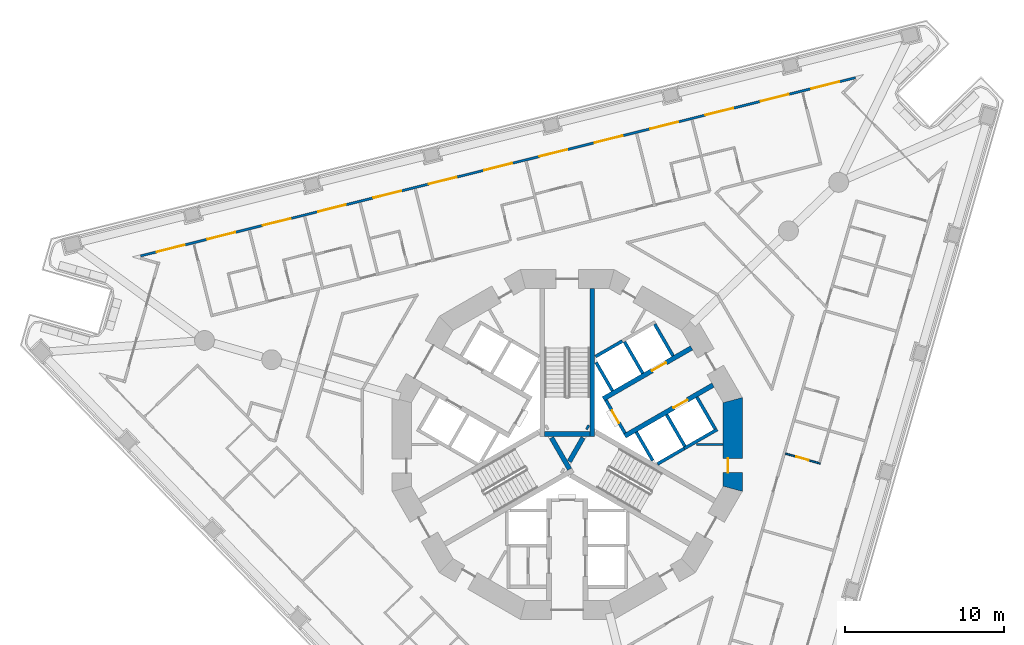
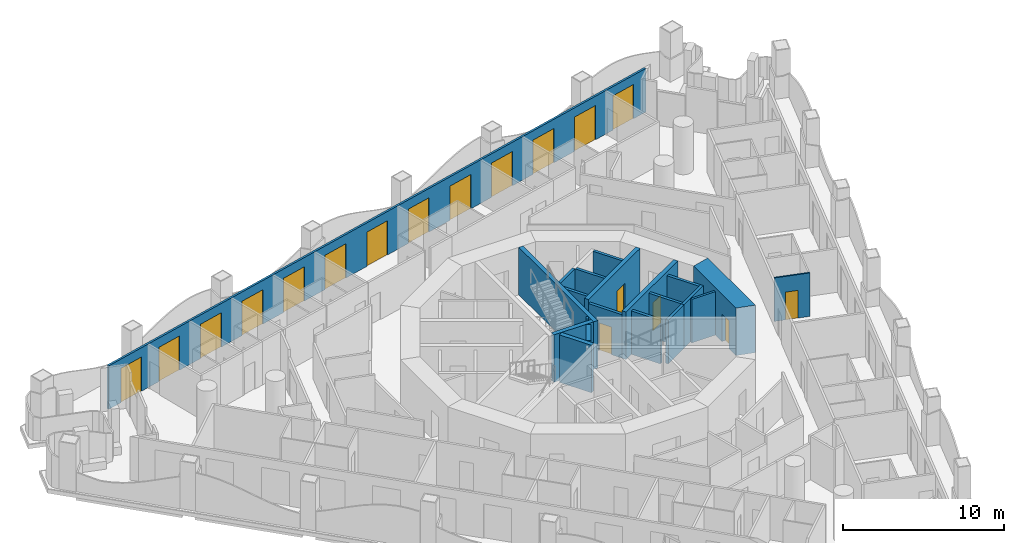
# One storey, part 8 of 18: 21 walls, 18 doors, 18 openings.
"""IFC4 building model written with IfcOpenShell, lengths in metres."""

import ifcopenshell
import ifcopenshell.guid

model = None  # the IFC model being written
_history = None  # IfcOwnerHistory: only IFC2X3 demands one
_inside = {}  # id of a spatial element -> (the spatial element, [elements in it])
_under = {}  # id of a project, library or spatial element -> (it, [spatial elements below it])
_declared = {}  # id of a project -> (the project, [libraries it declares])
_typed = {}  # id of a type object -> (the type object, [elements of that type])
_made_of = {}  # id of a material, layer set ... -> (it, [elements and type objects made of it])


def new_model(schema):
    """Start an empty IFC model of exactly this schema.

    Asked for "IFC4X3", IfcOpenShell would pick the latest addendum, in which some entities
    have other attributes; the version numbers below select the first issue.
    IFC2X3 requires an IfcOwnerHistory on every rooted entity: one is made here for all.
    """
    global model, _history
    if schema == "IFC4X3":
        model = ifcopenshell.file(schema_version=(4, 3, 0, 0))
    else:
        model = ifcopenshell.file(schema=schema)
    _inside.clear()
    _under.clear()
    _declared.clear()
    _typed.clear()
    _made_of.clear()
    _history = None
    if model.schema == "IFC2X3":
        org = make("IfcOrganization", Name="unknown")
        user = make(
            "IfcPersonAndOrganization",
            ThePerson=make("IfcPerson", FamilyName="unknown"),
            TheOrganization=org,
        )
        app = make(
            "IfcApplication",
            ApplicationDeveloper=org,
            Version="unknown",
            ApplicationFullName="unknown",
            ApplicationIdentifier="unknown",
        )
        _history = make(
            "IfcOwnerHistory",
            OwningUser=user,
            OwningApplication=app,
            ChangeAction="ADDED",
            CreationDate=0,
        )
    return model


def make(cls, **values):
    """One entity of the class cls with the attributes given. An attribute that is None is left unset."""
    return model.create_entity(
        cls, **{name: value for name, value in values.items() if value is not None}
    )


def rooted(cls, **values):
    """An entity with a GlobalId (a new one), such as an element, a storey or a relation."""
    return make(cls, GlobalId=ifcopenshell.guid.new(), OwnerHistory=_history, **values)


def si_unit(unit_type, name, prefix=None):
    """IfcSIUnit, for example si_unit("LENGTHUNIT", "METRE", prefix="MILLI")."""
    return make("IfcSIUnit", UnitType=unit_type, Prefix=prefix, Name=name)


def assignment(units):
    """IfcUnitAssignment: the units of a project."""
    return None if units is None else make("IfcUnitAssignment", Units=units)


def point(xyz):
    """IfcCartesianPoint."""
    return None if xyz is None else make("IfcCartesianPoint", Coordinates=xyz)


def direction(xyz):
    """IfcDirection."""
    return None if xyz is None else make("IfcDirection", DirectionRatios=xyz)


def frame(location, z_axis=None, x_axis=None):
    """IfcAxis2Placement3D, a coordinate frame: its origin and axes. An axis left out is left unset."""
    return make(
        "IfcAxis2Placement3D",
        Location=point(location),
        Axis=direction(z_axis),
        RefDirection=direction(x_axis),
    )


def frame_2d(location, x_axis=None):
    """IfcAxis2Placement2D, a coordinate frame in the plane: its origin and x axis."""
    return make(
        "IfcAxis2Placement2D", Location=point(location), RefDirection=direction(x_axis)
    )


def origin():
    """The frame at (0, 0, 0) with its axes left unset."""
    return frame((0.0, 0.0, 0.0))


def place(relative_to, where):
    """IfcLocalPlacement: puts the frame where relative to a parent placement (None: the world)."""
    return make(
        "IfcLocalPlacement", PlacementRelTo=relative_to, RelativePlacement=where
    )


def context(
    kind, dimensions, precision=None, world=None, true_north=None, identifier=None
):
    """IfcGeometricRepresentationContext, for example the 3D "Model" context."""
    return make(
        "IfcGeometricRepresentationContext",
        ContextIdentifier=identifier,
        ContextType=kind,
        CoordinateSpaceDimension=dimensions,
        Precision=precision,
        WorldCoordinateSystem=world,
        TrueNorth=true_north,
    )


def subcontext(parent, identifier, kind, view, scale=None):
    """IfcGeometricRepresentationSubContext, for example "Body" below "Model"."""
    return make(
        "IfcGeometricRepresentationSubContext",
        ContextIdentifier=identifier,
        ContextType=kind,
        ParentContext=parent,
        TargetScale=scale,
        TargetView=view,
    )


def project(units=None, contexts=None):
    """IfcProject with its units and contexts."""
    return rooted(
        "IfcProject",
        Name="project",
        RepresentationContexts=contexts,
        UnitsInContext=assignment(units),
    )


def spatial(cls, under=None, at=None, **own):
    """A site, building, storey or space (cls), placed at a placement, below another one or the project."""
    s = rooted(cls, ObjectPlacement=at, **own)
    if under is not None:
        _under.setdefault(under.id(), (under, []))[1].append(s)
    return s


def polyline(points):
    """IfcPolyline through the points."""
    return make("IfcPolyline", Points=[point(p) for p in points])


def profile(cls, at=None, kind="AREA", **sizes):
    """A parametric profile (cls). Its sizes go by their IFC names, for example OverallWidth=200.0."""
    return make(cls, ProfileType=kind, Position=at, **sizes)


def rectangle(**sizes):
    """IfcRectangleProfileDef."""
    return profile("IfcRectangleProfileDef", **sizes)


def outline(outer, holes=None, kind="AREA"):
    """IfcArbitraryClosedProfileDef: a profile drawn as a closed curve; with holes, ...WithVoids."""
    if holes is None:
        return make("IfcArbitraryClosedProfileDef", ProfileType=kind, OuterCurve=outer)
    return make(
        "IfcArbitraryProfileDefWithVoids",
        ProfileType=kind,
        OuterCurve=outer,
        InnerCurves=holes,
    )


def extrude(swept, where, along, depth):
    """IfcExtrudedAreaSolid: the profile swept, set in the frame where, extruded along a direction by depth."""
    return make(
        "IfcExtrudedAreaSolid",
        SweptArea=swept,
        Position=where,
        ExtrudedDirection=direction(along),
        Depth=depth,
    )


def shape(context_of_items, identifier, shape_type, items):
    """IfcShapeRepresentation: the items that make up one representation, for example the "Body"."""
    return make(
        "IfcShapeRepresentation",
        ContextOfItems=context_of_items,
        RepresentationIdentifier=identifier,
        RepresentationType=shape_type,
        Items=items,
    )


def material(Name=None, Category=None):
    """IfcMaterial."""
    return make("IfcMaterial", Name=Name, Category=Category)


def layer(
    of_material, thickness, ventilated=None, Name=None, Category=None, Priority=None
):
    """IfcMaterialLayer: one layer of a wall or slab, of a material (None: an air gap)."""
    return make(
        "IfcMaterialLayer",
        Material=of_material,
        LayerThickness=thickness,
        IsVentilated=ventilated,
        Name=Name,
        Category=Category,
        Priority=Priority,
    )


def layer_set(layers, Name=None):
    """IfcMaterialLayerSet."""
    return make("IfcMaterialLayerSet", MaterialLayers=layers, LayerSetName=Name)


def made_of(thing, what):
    """Note that an element or type object is made of a material, layer set ...; save() writes the relation."""
    if what is not None:
        _made_of.setdefault(what.id(), (what, []))[1].append(thing)
    return thing


def type_object(cls, material=None, **own):
    """A type object (cls), such as IfcWallType, which elements share."""
    return made_of(rooted(cls, **own), material)


def element(
    cls,
    number,
    at=None,
    inside=None,
    cuts=None,
    type_object=None,
    material=None,
    context=None,
    identifier="Body",
    shape_type=None,
    held_by="IfcProductDefinitionShape",
    body=None,
    shapes=None,
    **own,
):
    """One element of the class cls, such as IfcWall. Its Tag is "e" and its number.

    at: its placement. inside: the storey or other place that contains it. cuts: it is an
    opening in that element (IfcRelVoidsElement). A single representation is given by context,
    identifier, shape_type and body (its items); several are given by shapes. held_by: the class
    of the entity that holds the representations. save() writes the other relations.
    """
    e = rooted(cls, Tag="e%d" % number, ObjectPlacement=at, **own)
    if body is not None:
        shapes = [shape(context, identifier, shape_type, body)]
    if shapes is not None:
        e.Representation = make(held_by, Representations=shapes)
    if inside is not None:
        _inside.setdefault(inside.id(), (inside, []))[1].append(e)
    if cuts is not None:
        rooted(
            "IfcRelVoidsElement", RelatingBuildingElement=cuts, RelatedOpeningElement=e
        )
    if type_object is not None:
        _typed.setdefault(type_object.id(), (type_object, []))[1].append(e)
    return made_of(e, material)


def fill(opening, filler):
    """IfcRelFillsElement: the door or window that sits in an opening."""
    return rooted(
        "IfcRelFillsElement",
        RelatingOpeningElement=opening,
        RelatedBuildingElement=filler,
    )


def aggregate(whole, parts):
    """IfcRelAggregates: a whole, such as a stair, and the parts it consists of."""
    return rooted("IfcRelAggregates", RelatingObject=whole, RelatedObjects=parts)


def save(model, path):
    """Write the relations noted so far, then the file.

    IfcRelAggregates (storeys below a building ...), IfcRelContainedInSpatialStructure (elements
    in a storey), IfcRelDefinesByType, IfcRelAssociatesMaterial and IfcRelDeclares: one each for
    every whole, place, type object, material and project.
    """
    for whole, parts in _under.values():
        aggregate(whole, parts)
    for where, things in _inside.values():
        rooted(
            "IfcRelContainedInSpatialStructure",
            RelatedElements=things,
            RelatingStructure=where,
        )
    for kind, things in _typed.values():
        rooted("IfcRelDefinesByType", RelatedObjects=things, RelatingType=kind)
    for what, things in _made_of.values():
        rooted("IfcRelAssociatesMaterial", RelatedObjects=things, RelatingMaterial=what)
    for by, libraries in _declared.values():
        rooted("IfcRelDeclares", RelatingContext=by, RelatedDefinitions=libraries)
    model.write(path)


model = new_model("IFC4")

# Units and contexts
model_context = context("Model", 3, precision=1e-05, world=origin(), true_north=direction((0.0, 1.0)))
body_context = subcontext(model_context, "Body", "Model", "MODEL_VIEW")
ifc_project = project(units=[si_unit("LENGTHUNIT", "METRE"), si_unit("AREAUNIT", "SQUARE_METRE"), si_unit("VOLUMEUNIT", "CUBIC_METRE"), si_unit("PLANEANGLEUNIT", "RADIAN"), si_unit("MASSUNIT", "GRAM", prefix="KILO")], contexts=[model_context])

# Site, building, storey
site_placement = place(None, origin())
site = spatial("IfcSite", under=ifc_project, at=site_placement, CompositionType="ELEMENT")
building_placement = place(site_placement, origin())
building = spatial("IfcBuilding", under=site, at=building_placement, Name="Trine Commons Tower", CompositionType="ELEMENT")
storey_placement = place(building_placement, frame((0.0, 0.0, 94.5)))
storey = spatial("IfcBuildingStorey", under=building, at=storey_placement, Name="L23", CompositionType="ELEMENT", Elevation=94.5)

# Wall
ifc_material_1 = material(Name="Plasterboard partition on steel studs", Category="steel")
ifc_layer_1 = layer(ifc_material_1, 0.14990234375)
ifc_layer_set_1 = layer_set([ifc_layer_1], Name="Plasterboard partition on steel studs")
wall_type_1 = type_object("IfcWallType", Name="Core room partition 150 mm, EI 60", PredefinedType="PARTITIONING", material=ifc_layer_set_1)
wall_1_placement = place(storey_placement, frame((89.81201171875, 62.5, 0.0), z_axis=(0.0, 0.0, 1.0), x_axis=(-1.0, 0.0, 0.0)))
element("IfcWall", 1, at=wall_1_placement, inside=storey, type_object=wall_type_1, Name="Core room partition L23", PredefinedType="PARTITIONING", context=body_context, shape_type="SweptSolid", body=[
    extrude(rectangle(XDim=1.68310546875, YDim=0.14990234375, at=frame_2d((0.841552734375, 0.0))), origin(), (0.0, 0.0, 1.0), 3.300048828125),
])

# Wall, openings, doors
ifc_material_2 = material(Name="Aluminium-framed insulated wall panel", Category="aluminium")
ifc_layer_2 = layer(ifc_material_2, 0.14990234375)
ifc_layer_set_2 = layer_set([ifc_layer_2], Name="Aluminium-framed insulated wall panel")
wall_type_2 = type_object("IfcWallType", Name="Glazed frame wall 150, EI 60", PredefinedType="SOLIDWALL", material=ifc_layer_set_2)
wall_2_placement = place(storey_placement, frame((53.01416015625, 74.326904296875, 0.0), z_axis=(0.0, 0.0, 1.0), x_axis=(0.970295935704, 0.24192105563, 0.0)))
wall_2 = element("IfcWall", 2, at=wall_2_placement, inside=storey, type_object=wall_type_2, Name="Glazed frame wall F1", PredefinedType="SOLIDWALL", context=body_context, shape_type="SweptSolid", body=[
    extrude(outline(polyline([(0.1494140625, 0.074951171875), (0.1494140625, -0.074951171875), (46.496826171875, -0.074951171875), (46.496826171875, 0.074951171875), (0.1494140625, 0.074951171875)])), origin(), (0.0, 0.0, 1.0), 3.300048828125),
])
opening_1_placement = place(wall_2_placement, frame((1.194091796875, 0.0, 0.0)))
opening_1 = element("IfcOpeningElement", 3, at=opening_1_placement, cuts=wall_2, Name="Opening BD-3F1-01", PredefinedType="OPENING", context=body_context, shape_type="SweptSolid", body=[
    extrude(rectangle(XDim=1.800048828125, YDim=2.60009765625, at=frame_2d((0.89990234375, 1.300048828125))), frame((0.0, 0.0849609375, 0.0), z_axis=(0.0, -1.0, 0.0), x_axis=(1.0, 0.0, 0.0)), (0.0, 0.0, 1.0), 0.169921875),
])
opening_2_placement = place(wall_2_placement, frame((4.482421875, 0.0, 0.0)))
opening_2 = element("IfcOpeningElement", 4, at=opening_2_placement, cuts=wall_2, Name="Opening BD-3F1-02", PredefinedType="OPENING", context=body_context, shape_type="SweptSolid", body=[
    extrude(rectangle(XDim=1.800048828125, YDim=2.60009765625, at=frame_2d((0.89990234375, 1.300048828125))), frame((0.0, 0.0849609375, 0.0), z_axis=(0.0, -1.0, 0.0), x_axis=(1.0, 0.0, 0.0)), (0.0, 0.0, 1.0), 0.169921875),
])
opening_3_placement = place(wall_2_placement, frame((8.070556640625, 0.0, 0.0)))
opening_3 = element("IfcOpeningElement", 5, at=opening_3_placement, cuts=wall_2, Name="Opening BD-3F1-03", PredefinedType="OPENING", context=body_context, shape_type="SweptSolid", body=[
    extrude(rectangle(XDim=1.800048828125, YDim=2.60009765625, at=frame_2d((0.89990234375, 1.300048828125))), frame((0.0, 0.0849609375, 0.0), z_axis=(0.0, -1.0, 0.0), x_axis=(1.0, 0.0, 0.0)), (0.0, 0.0, 1.0), 0.169921875),
])
opening_4_placement = place(wall_2_placement, frame((11.65869140625, 0.0, 0.0)))
opening_4 = element("IfcOpeningElement", 6, at=opening_4_placement, cuts=wall_2, Name="Opening BD-3F1-04", PredefinedType="OPENING", context=body_context, shape_type="SweptSolid", body=[
    extrude(rectangle(XDim=1.800048828125, YDim=2.60009765625, at=frame_2d((0.89990234375, 1.300048828125))), frame((0.0, 0.0849609375, 0.0), z_axis=(0.0, -1.0, 0.0), x_axis=(1.0, 0.0, 0.0)), (0.0, 0.0, 1.0), 0.169921875),
])
opening_5_placement = place(wall_2_placement, frame((15.246826171875, 0.0, 0.0)))
opening_5 = element("IfcOpeningElement", 7, at=opening_5_placement, cuts=wall_2, Name="Opening BD-3F1-05", PredefinedType="OPENING", context=body_context, shape_type="SweptSolid", body=[
    extrude(rectangle(XDim=1.800048828125, YDim=2.60009765625, at=frame_2d((0.89990234375, 1.300048828125))), frame((0.0, 0.0849609375, 0.0), z_axis=(0.0, -1.0, 0.0), x_axis=(1.0, 0.0, 0.0)), (0.0, 0.0, 1.0), 0.169921875),
])
opening_6_placement = place(wall_2_placement, frame((18.835205078125, 0.0, 0.0)))
opening_6 = element("IfcOpeningElement", 8, at=opening_6_placement, cuts=wall_2, Name="Opening BD-3F1-06", PredefinedType="OPENING", context=body_context, shape_type="SweptSolid", body=[
    extrude(rectangle(XDim=1.800048828125, YDim=2.60009765625, at=frame_2d((0.89990234375, 1.300048828125))), frame((0.0, 0.0849609375, 0.0), z_axis=(0.0, -1.0, 0.0), x_axis=(1.0, 0.0, 0.0)), (0.0, 0.0, 1.0), 0.169921875),
])
opening_7_placement = place(wall_2_placement, frame((22.42333984375, 0.0, 0.0)))
opening_7 = element("IfcOpeningElement", 9, at=opening_7_placement, cuts=wall_2, Name="Opening BD-3F1-07", PredefinedType="OPENING", context=body_context, shape_type="SweptSolid", body=[
    extrude(rectangle(XDim=1.800048828125, YDim=2.60009765625, at=frame_2d((0.89990234375, 1.300048828125))), frame((0.0, 0.0849609375, 0.0), z_axis=(0.0, -1.0, 0.0), x_axis=(1.0, 0.0, 0.0)), (0.0, 0.0, 1.0), 0.169921875),
])
opening_8_placement = place(wall_2_placement, frame((26.011474609375, 0.0, 0.0)))
opening_8 = element("IfcOpeningElement", 10, at=opening_8_placement, cuts=wall_2, Name="Opening BD-3F1-08", PredefinedType="OPENING", context=body_context, shape_type="SweptSolid", body=[
    extrude(rectangle(XDim=1.800048828125, YDim=2.60009765625, at=frame_2d((0.89990234375, 1.300048828125))), frame((0.0, 0.0849609375, 0.0), z_axis=(0.0, -1.0, 0.0), x_axis=(1.0, 0.0, 0.0)), (0.0, 0.0, 1.0), 0.169921875),
])
opening_9_placement = place(wall_2_placement, frame((29.599609375, 0.0, 0.0)))
opening_9 = element("IfcOpeningElement", 11, at=opening_9_placement, cuts=wall_2, Name="Opening BD-3F1-09", PredefinedType="OPENING", context=body_context, shape_type="SweptSolid", body=[
    extrude(rectangle(XDim=1.800048828125, YDim=2.60009765625, at=frame_2d((0.89990234375, 1.300048828125))), frame((0.0, 0.0849609375, 0.0), z_axis=(0.0, -1.0, 0.0), x_axis=(1.0, 0.0, 0.0)), (0.0, 0.0, 1.0), 0.169921875),
])
opening_10_placement = place(wall_2_placement, frame((33.18798828125, 0.0, 0.0)))
opening_10 = element("IfcOpeningElement", 12, at=opening_10_placement, cuts=wall_2, Name="Opening BD-3F1-10", PredefinedType="OPENING", context=body_context, shape_type="SweptSolid", body=[
    extrude(rectangle(XDim=1.800048828125, YDim=2.60009765625, at=frame_2d((0.89990234375, 1.300048828125))), frame((0.0, 0.0849609375, 0.0), z_axis=(0.0, -1.0, 0.0), x_axis=(1.0, 0.0, 0.0)), (0.0, 0.0, 1.0), 0.169921875),
])
opening_11_placement = place(wall_2_placement, frame((36.776123046875, 0.0, 0.0)))
opening_11 = element("IfcOpeningElement", 13, at=opening_11_placement, cuts=wall_2, Name="Opening BD-3F1-11", PredefinedType="OPENING", context=body_context, shape_type="SweptSolid", body=[
    extrude(rectangle(XDim=1.800048828125, YDim=2.60009765625, at=frame_2d((0.89990234375, 1.300048828125))), frame((0.0, 0.0849609375, 0.0), z_axis=(0.0, -1.0, 0.0), x_axis=(1.0, 0.0, 0.0)), (0.0, 0.0, 1.0), 0.169921875),
])
opening_12_placement = place(wall_2_placement, frame((40.3642578125, 0.0, 0.0)))
opening_12 = element("IfcOpeningElement", 14, at=opening_12_placement, cuts=wall_2, Name="Opening BD-3F1-12", PredefinedType="OPENING", context=body_context, shape_type="SweptSolid", body=[
    extrude(rectangle(XDim=1.800048828125, YDim=2.60009765625, at=frame_2d((0.89990234375, 1.300048828125))), frame((0.0, 0.0849609375, 0.0), z_axis=(0.0, -1.0, 0.0), x_axis=(1.0, 0.0, 0.0)), (0.0, 0.0, 1.0), 0.169921875),
])
opening_13_placement = place(wall_2_placement, frame((43.652587890625, 0.0, 0.0)))
opening_13 = element("IfcOpeningElement", 15, at=opening_13_placement, cuts=wall_2, Name="Opening BD-3F1-13", PredefinedType="OPENING", context=body_context, shape_type="SweptSolid", body=[
    extrude(rectangle(XDim=1.800048828125, YDim=2.60009765625, at=frame_2d((0.89990234375, 1.300048828125))), frame((0.0, 0.0849609375, 0.0), z_axis=(0.0, -1.0, 0.0), x_axis=(1.0, 0.0, 0.0)), (0.0, 0.0, 1.0), 0.169921875),
])
ifc_material_3 = material(Name="Anodised aluminium frame with double glazing", Category="aluminium")
door_type_1 = type_object("IfcDoorType", Name="Sliding loggia door 1800x2600", OperationType="SLIDING_TO_LEFT", PredefinedType="DOOR", material=ifc_material_3)
door_1_placement = place(opening_1_placement, origin())
door_1 = element("IfcDoor", 16, at=door_1_placement, inside=storey, type_object=door_type_1, Name="Loggia door F1 1", OperationType="SLIDING_TO_LEFT", OverallHeight=2.60009765625, OverallWidth=1.800048828125, PredefinedType="DOOR", context=body_context, shape_type="SweptSolid", body=[
    extrude(rectangle(XDim=1.800048828125, YDim=2.60009765625, at=frame_2d((0.89990234375, 1.300048828125))), frame((0.0, 0.02490234375, 0.0), z_axis=(0.0, -1.0, 0.0), x_axis=(1.0, 0.0, 0.0)), (0.0, 0.0, 1.0), 0.050048828125),
])
fill(opening_1, door_1)
door_2_placement = place(opening_2_placement, origin())
door_2 = element("IfcDoor", 17, at=door_2_placement, inside=storey, type_object=door_type_1, Name="Loggia door F1 2", OperationType="SLIDING_TO_LEFT", OverallHeight=2.60009765625, OverallWidth=1.800048828125, PredefinedType="DOOR", context=body_context, shape_type="SweptSolid", body=[
    extrude(rectangle(XDim=1.800048828125, YDim=2.60009765625, at=frame_2d((0.89990234375, 1.300048828125))), frame((0.0, 0.02490234375, 0.0), z_axis=(0.0, -1.0, 0.0), x_axis=(1.0, 0.0, 0.0)), (0.0, 0.0, 1.0), 0.050048828125),
])
fill(opening_2, door_2)
door_3_placement = place(opening_3_placement, origin())
door_3 = element("IfcDoor", 18, at=door_3_placement, inside=storey, type_object=door_type_1, Name="Loggia door F1 3", OperationType="SLIDING_TO_LEFT", OverallHeight=2.60009765625, OverallWidth=1.800048828125, PredefinedType="DOOR", context=body_context, shape_type="SweptSolid", body=[
    extrude(rectangle(XDim=1.800048828125, YDim=2.60009765625, at=frame_2d((0.89990234375, 1.300048828125))), frame((0.0, 0.02490234375, 0.0), z_axis=(0.0, -1.0, 0.0), x_axis=(1.0, 0.0, 0.0)), (0.0, 0.0, 1.0), 0.050048828125),
])
fill(opening_3, door_3)
door_4_placement = place(opening_4_placement, origin())
door_4 = element("IfcDoor", 19, at=door_4_placement, inside=storey, type_object=door_type_1, Name="Loggia door F1 4", OperationType="SLIDING_TO_LEFT", OverallHeight=2.60009765625, OverallWidth=1.800048828125, PredefinedType="DOOR", context=body_context, shape_type="SweptSolid", body=[
    extrude(rectangle(XDim=1.800048828125, YDim=2.60009765625, at=frame_2d((0.89990234375, 1.300048828125))), frame((0.0, 0.02490234375, 0.0), z_axis=(0.0, -1.0, 0.0), x_axis=(1.0, 0.0, 0.0)), (0.0, 0.0, 1.0), 0.050048828125),
])
fill(opening_4, door_4)
door_5_placement = place(opening_5_placement, origin())
door_5 = element("IfcDoor", 20, at=door_5_placement, inside=storey, type_object=door_type_1, Name="Loggia door F1 5", OperationType="SLIDING_TO_LEFT", OverallHeight=2.60009765625, OverallWidth=1.800048828125, PredefinedType="DOOR", context=body_context, shape_type="SweptSolid", body=[
    extrude(rectangle(XDim=1.800048828125, YDim=2.60009765625, at=frame_2d((0.89990234375, 1.300048828125))), frame((0.0, 0.02490234375, 0.0), z_axis=(0.0, -1.0, 0.0), x_axis=(1.0, 0.0, 0.0)), (0.0, 0.0, 1.0), 0.050048828125),
])
fill(opening_5, door_5)
door_6_placement = place(opening_6_placement, origin())
door_6 = element("IfcDoor", 21, at=door_6_placement, inside=storey, type_object=door_type_1, Name="Loggia door F1 6", OperationType="SLIDING_TO_LEFT", OverallHeight=2.60009765625, OverallWidth=1.800048828125, PredefinedType="DOOR", context=body_context, shape_type="SweptSolid", body=[
    extrude(rectangle(XDim=1.800048828125, YDim=2.60009765625, at=frame_2d((0.89990234375, 1.300048828125))), frame((0.0, 0.02490234375, 0.0), z_axis=(0.0, -1.0, 0.0), x_axis=(1.0, 0.0, 0.0)), (0.0, 0.0, 1.0), 0.050048828125),
])
fill(opening_6, door_6)
door_7_placement = place(opening_7_placement, origin())
door_7 = element("IfcDoor", 22, at=door_7_placement, inside=storey, type_object=door_type_1, Name="Loggia door F1 7", OperationType="SLIDING_TO_LEFT", OverallHeight=2.60009765625, OverallWidth=1.800048828125, PredefinedType="DOOR", context=body_context, shape_type="SweptSolid", body=[
    extrude(rectangle(XDim=1.800048828125, YDim=2.60009765625, at=frame_2d((0.89990234375, 1.300048828125))), frame((0.0, 0.02490234375, 0.0), z_axis=(0.0, -1.0, 0.0), x_axis=(1.0, 0.0, 0.0)), (0.0, 0.0, 1.0), 0.050048828125),
])
fill(opening_7, door_7)
door_8_placement = place(opening_8_placement, origin())
door_8 = element("IfcDoor", 23, at=door_8_placement, inside=storey, type_object=door_type_1, Name="Loggia door F1 8", OperationType="SLIDING_TO_LEFT", OverallHeight=2.60009765625, OverallWidth=1.800048828125, PredefinedType="DOOR", context=body_context, shape_type="SweptSolid", body=[
    extrude(rectangle(XDim=1.800048828125, YDim=2.60009765625, at=frame_2d((0.89990234375, 1.300048828125))), frame((0.0, 0.02490234375, 0.0), z_axis=(0.0, -1.0, 0.0), x_axis=(1.0, 0.0, 0.0)), (0.0, 0.0, 1.0), 0.050048828125),
])
fill(opening_8, door_8)
door_9_placement = place(opening_9_placement, origin())
door_9 = element("IfcDoor", 24, at=door_9_placement, inside=storey, type_object=door_type_1, Name="Loggia door F1 9", OperationType="SLIDING_TO_LEFT", OverallHeight=2.60009765625, OverallWidth=1.800048828125, PredefinedType="DOOR", context=body_context, shape_type="SweptSolid", body=[
    extrude(rectangle(XDim=1.800048828125, YDim=2.60009765625, at=frame_2d((0.89990234375, 1.300048828125))), frame((0.0, 0.02490234375, 0.0), z_axis=(0.0, -1.0, 0.0), x_axis=(1.0, 0.0, 0.0)), (0.0, 0.0, 1.0), 0.050048828125),
])
fill(opening_9, door_9)
door_10_placement = place(opening_10_placement, origin())
door_10 = element("IfcDoor", 25, at=door_10_placement, inside=storey, type_object=door_type_1, Name="Loggia door F1 10", OperationType="SLIDING_TO_LEFT", OverallHeight=2.60009765625, OverallWidth=1.800048828125, PredefinedType="DOOR", context=body_context, shape_type="SweptSolid", body=[
    extrude(rectangle(XDim=1.800048828125, YDim=2.60009765625, at=frame_2d((0.89990234375, 1.300048828125))), frame((0.0, 0.02490234375, 0.0), z_axis=(0.0, -1.0, 0.0), x_axis=(1.0, 0.0, 0.0)), (0.0, 0.0, 1.0), 0.050048828125),
])
fill(opening_10, door_10)
door_11_placement = place(opening_11_placement, origin())
door_11 = element("IfcDoor", 26, at=door_11_placement, inside=storey, type_object=door_type_1, Name="Loggia door F1 11", OperationType="SLIDING_TO_LEFT", OverallHeight=2.60009765625, OverallWidth=1.800048828125, PredefinedType="DOOR", context=body_context, shape_type="SweptSolid", body=[
    extrude(rectangle(XDim=1.800048828125, YDim=2.60009765625, at=frame_2d((0.89990234375, 1.300048828125))), frame((0.0, 0.02490234375, 0.0), z_axis=(0.0, -1.0, 0.0), x_axis=(1.0, 0.0, 0.0)), (0.0, 0.0, 1.0), 0.050048828125),
])
fill(opening_11, door_11)
door_12_placement = place(opening_12_placement, origin())
door_12 = element("IfcDoor", 27, at=door_12_placement, inside=storey, type_object=door_type_1, Name="Loggia door F1 12", OperationType="SLIDING_TO_LEFT", OverallHeight=2.60009765625, OverallWidth=1.800048828125, PredefinedType="DOOR", context=body_context, shape_type="SweptSolid", body=[
    extrude(rectangle(XDim=1.800048828125, YDim=2.60009765625, at=frame_2d((0.89990234375, 1.300048828125))), frame((0.0, 0.02490234375, 0.0), z_axis=(0.0, -1.0, 0.0), x_axis=(1.0, 0.0, 0.0)), (0.0, 0.0, 1.0), 0.050048828125),
])
fill(opening_12, door_12)
door_13_placement = place(opening_13_placement, origin())
door_13 = element("IfcDoor", 28, at=door_13_placement, inside=storey, type_object=door_type_1, Name="Loggia door F1 13", OperationType="SLIDING_TO_LEFT", OverallHeight=2.60009765625, OverallWidth=1.800048828125, PredefinedType="DOOR", context=body_context, shape_type="SweptSolid", body=[
    extrude(rectangle(XDim=1.800048828125, YDim=2.60009765625, at=frame_2d((0.89990234375, 1.300048828125))), frame((0.0, 0.02490234375, 0.0), z_axis=(0.0, -1.0, 0.0), x_axis=(1.0, 0.0, 0.0)), (0.0, 0.0, 1.0), 0.050048828125),
])
fill(opening_13, door_13)

# Wall, opening, door
ifc_material_4 = material(Name="Fire-rated gypsum shaft wall system")
ifc_layer_3 = layer(ifc_material_4, 0.199951171875)
ifc_layer_set_3 = layer_set([ifc_layer_3], Name="Fire-rated gypsum shaft wall system")
wall_type_3 = type_object("IfcWallType", Name="Lobby end wall 200 mm, EI 120", PredefinedType="PARTITIONING", material=ifc_layer_set_3)
wall_3_placement = place(storey_placement, frame((83.631103515625, 63.2109375, 0.0), z_axis=(0.0, 0.0, 1.0), x_axis=(-0.50012165622, 0.865955154139, 0.0)))
wall_3 = element("IfcWall", 29, at=wall_3_placement, inside=storey, type_object=wall_type_3, Name="Lobby end wall L23", PredefinedType="PARTITIONING", context=body_context, shape_type="SweptSolid", body=[
    extrude(rectangle(XDim=2.39990234375, YDim=0.199951171875, at=frame_2d((1.199951171875, 0.0))), origin(), (0.0, 0.0, 1.0), 3.300048828125),
])
opening_14_placement = place(wall_3_placement, frame((0.749755859375, 0.0, 0.0)))
opening_14 = element("IfcOpeningElement", 30, at=opening_14_placement, cuts=wall_3, Name="Opening K06.05", PredefinedType="OPENING", context=body_context, shape_type="SweptSolid", body=[
    extrude(rectangle(XDim=0.89990234375, YDim=2.10009765625, at=frame_2d((0.449951171875, 1.050048828125))), frame((0.0, 0.10986328125, 0.0), z_axis=(0.0, -1.0, 0.0), x_axis=(1.0, 0.0, 0.0)), (0.0, 0.0, 1.0), 0.219970703125),
])
ifc_material_5 = material(Name="Steel door leaf, fire-rated", Category="steel")
door_type_2 = type_object("IfcDoorType", Name="Riser access door, single leaf 900 x 2100, FD60", OperationType="SINGLE_SWING_LEFT", PredefinedType="DOOR", material=ifc_material_5)
door_14_placement = place(opening_14_placement, frame((0.89990234375, 0.0, 0.0), z_axis=(0.0, 0.0, 1.0), x_axis=(-1.0, 0.0, 0.0)))
door_14 = element("IfcDoor", 31, at=door_14_placement, inside=storey, type_object=door_type_2, Name="Riser door, Electrical riser L23", OperationType="SINGLE_SWING_LEFT", OverallHeight=2.10009765625, OverallWidth=0.89990234375, PredefinedType="DOOR", context=body_context, shape_type="SweptSolid", body=[
    extrude(rectangle(XDim=0.89990234375, YDim=2.10009765625, at=frame_2d((0.449951171875, 1.050048828125))), frame((0.0, 0.02490234375, 0.0), z_axis=(0.0, -1.0, 0.0), x_axis=(1.0, 0.0, 0.0)), (0.0, 0.0, 1.0), 0.050048828125),
])
fill(opening_14, door_14)

ifc_material_6 = material(Name="Concrete C70/85", Category="concrete")
ifc_layer_4 = layer(ifc_material_6, 1.199951171875)
ifc_layer_set_4 = layer_set([ifc_layer_4], Name="Concrete C70/85")
wall_type_4 = type_object("IfcWallType", Name="RC shear wall 1200 mm, C70/85", PredefinedType="SHEAR", material=ifc_layer_set_4)
wall_4_placement = place(storey_placement, frame((90.41162109375, 59.549560546875, 0.0), z_axis=(0.0, 0.0, 1.0), x_axis=(0.0, 1.0, 0.0)))
wall_4 = element("IfcWall", 32, at=wall_4_placement, inside=storey, type_object=wall_type_4, Name="Core wall CWC-01 L23", PredefinedType="SHEAR", context=body_context, shape_type="SweptSolid", body=[
    extrude(outline(polyline([(0.0, -0.60009765625), (5.90087890625, -0.60009765625), (5.57958984375, 0.60009765625), (0.321533203125, 0.60009765625), (0.0, -0.60009765625)])), origin(), (0.0, 0.0, 1.0), 3.60009765625),
])
opening_15_placement = place(wall_4_placement, frame((1.175537109375, 0.0, 0.0)))
opening_15 = element("IfcOpeningElement", 33, at=opening_15_placement, cuts=wall_4, Name="Opening K06.17", PredefinedType="OPENING", context=body_context, shape_type="SweptSolid", body=[
    extrude(rectangle(XDim=0.89990234375, YDim=2.10009765625, at=frame_2d((0.449951171875, 1.050048828125))), frame((0.0, 0.60986328125, 0.0), z_axis=(0.0, -1.0, 0.0), x_axis=(1.0, 0.0, 0.0)), (0.0, 0.0, 1.0), 1.219970703125),
])
door_type_3 = type_object("IfcDoorType", Name="Core room door, single leaf 900 x 2100, FD30S", OperationType="SINGLE_SWING_LEFT", PredefinedType="DOOR", material=ifc_material_5)
door_15_placement = place(opening_15_placement, origin())
door_15 = element("IfcDoor", 34, at=door_15_placement, inside=storey, type_object=door_type_3, Name="Door to Linen store L23", OperationType="SINGLE_SWING_LEFT", OverallHeight=2.10009765625, OverallWidth=0.89990234375, PredefinedType="DOOR", context=body_context, shape_type="SweptSolid", body=[
    extrude(rectangle(XDim=0.89990234375, YDim=2.10009765625, at=frame_2d((0.449951171875, 1.050048828125))), frame((0.0, 0.3251953125, 0.0), z_axis=(0.0, -1.0, 0.0), x_axis=(1.0, 0.0, 0.0)), (0.0, 0.0, 1.0), 0.050048828125),
])
fill(opening_15, door_15)

ifc_layer_5 = layer(ifc_material_6, 0.300048828125)
ifc_layer_set_5 = layer_set([ifc_layer_5], Name="Concrete C70/85")
wall_type_5 = type_object("IfcWallType", Name="RC shear wall 300 mm, C70/85", PredefinedType="SHEAR", material=ifc_layer_set_5)
wall_5_placement = place(storey_placement, frame((82.26904296875, 65.368896484375, 0.0), z_axis=(0.0, 0.0, 1.0), x_axis=(0.866022631842, 0.500004801114, 0.0)))
wall_5 = element("IfcWall", 35, at=wall_5_placement, inside=storey, type_object=wall_type_5, Name="Core cross wall SWA-05 L23", PredefinedType="SHEAR", context=body_context, shape_type="SweptSolid", body=[
    extrude(rectangle(XDim=6.412109375, YDim=0.300048828125, at=frame_2d((3.2060546875, 0.0))), origin(), (0.0, 0.0, 1.0), 3.60009765625),
])
opening_16_placement = place(wall_5_placement, frame((3.55029296875, 0.0, 0.0)))
opening_16 = element("IfcOpeningElement", 36, at=opening_16_placement, cuts=wall_5, Name="Opening LD1", PredefinedType="OPENING", context=body_context, shape_type="SweptSolid", body=[
    extrude(rectangle(XDim=1.0, YDim=2.10009765625, at=frame_2d((0.5, 1.050048828125))), frame((0.0, 0.159912109375, 0.0), z_axis=(0.0, -1.0, 0.0), x_axis=(1.0, 0.0, 0.0)), (0.0, 0.0, 1.0), 0.320068359375),
])
ifc_material_7 = material(Name="Stainless steel sliding door leaves", Category="steel")
door_type_4 = type_object("IfcDoorType", Name="Lift landing door, centre-opening sliding 1000 x 2100, FD90", OperationType="DOUBLE_DOOR_SLIDING", PredefinedType="DOOR", material=ifc_material_7)
door_16_placement = place(opening_16_placement, origin())
door_16 = element("IfcDoor", 37, at=door_16_placement, inside=storey, type_object=door_type_4, Name="Lift landing door LR1 L23", OperationType="DOUBLE_DOOR_SLIDING", OverallHeight=2.10009765625, OverallWidth=1.0, PredefinedType="DOOR", context=body_context, shape_type="SweptSolid", body=[
    extrude(rectangle(XDim=1.0, YDim=2.10009765625, at=frame_2d((0.5, 1.050048828125))), frame((0.0, 0.02490234375, 0.0), z_axis=(0.0, -1.0, 0.0), x_axis=(1.0, 0.0, 0.0)), (0.0, 0.0, 1.0), 0.050048828125),
])
fill(opening_16, door_16)

wall_6_placement = place(storey_placement, frame((83.618896484375, 63.031005859375, 0.0), z_axis=(0.0, 0.0, 1.0), x_axis=(0.866032150378, 0.499988314375, 0.0)))
wall_6 = element("IfcWall", 38, at=wall_6_placement, inside=storey, type_object=wall_type_5, Name="Core cross wall SWA-06 L23", PredefinedType="SHEAR", context=body_context, shape_type="SweptSolid", body=[
    extrude(rectangle(XDim=6.412353515625, YDim=0.300048828125, at=frame_2d((3.2060546875, 0.0))), origin(), (0.0, 0.0, 1.0), 3.60009765625),
])
opening_17_placement = place(wall_6_placement, frame((3.55029296875, 0.0, 0.0)))
opening_17 = element("IfcOpeningElement", 39, at=opening_17_placement, cuts=wall_6, Name="Opening LD2", PredefinedType="OPENING", context=body_context, shape_type="SweptSolid", body=[
    extrude(rectangle(XDim=1.0, YDim=2.10009765625, at=frame_2d((0.5, 1.050048828125))), frame((0.0, 0.159912109375, 0.0), z_axis=(0.0, -1.0, 0.0), x_axis=(1.0, 0.0, 0.0)), (0.0, 0.0, 1.0), 0.320068359375),
])
door_17_placement = place(opening_17_placement, origin())
door_17 = element("IfcDoor", 40, at=door_17_placement, inside=storey, type_object=door_type_4, Name="Lift landing door LR2 L23", OperationType="DOUBLE_DOOR_SLIDING", OverallHeight=2.10009765625, OverallWidth=1.0, PredefinedType="DOOR", context=body_context, shape_type="SweptSolid", body=[
    extrude(rectangle(XDim=1.0, YDim=2.10009765625, at=frame_2d((0.5, 1.050048828125))), frame((0.0, 0.02490234375, 0.0), z_axis=(0.0, -1.0, 0.0), x_axis=(1.0, 0.0, 0.0)), (0.0, 0.0, 1.0), 0.050048828125),
])
fill(opening_17, door_17)

# Walls
wall_7_placement = place(storey_placement, frame((79.0029296875, 62.926025390625, 0.0), z_axis=(0.0, 0.0, 1.0), x_axis=(0.499965247104, -0.866045467449, 0.0)))
element("IfcWall", 41, at=wall_7_placement, inside=storey, type_object=wall_type_5, Name="Core cross wall SWA-10 L23", PredefinedType="SHEAR", context=body_context, shape_type="SweptSolid", body=[
    extrude(rectangle(XDim=2.292236328125, YDim=0.300048828125, at=frame_2d((1.14599609375, 0.0))), origin(), (0.0, 0.0, 1.0), 3.60009765625),
])
wall_8_placement = place(storey_placement, frame((80.1298828125, 61.424072265625, 0.0), z_axis=(0.0, 0.0, 1.0), x_axis=(0.500014901547, 0.866016800201, 0.0)))
element("IfcWall", 42, at=wall_8_placement, inside=storey, type_object=wall_type_5, Name="Core cross wall SWA-12 L23", PredefinedType="SHEAR", context=body_context, shape_type="SweptSolid", body=[
    extrude(rectangle(XDim=1.734375, YDim=0.300048828125, at=frame_2d((0.8671875, 0.0))), origin(), (0.0, 0.0, 1.0), 3.60009765625),
])
wall_9_placement = place(storey_placement, frame((81.220947265625, 63.614013671875, 0.0), z_axis=(0.0, 0.0, 1.0), x_axis=(0.867737973955, -0.497021939713, 0.0)))
element("IfcWall", 43, at=wall_9_placement, inside=storey, type_object=wall_type_5, Name="Core cross wall SWA-15 L23", PredefinedType="SHEAR", context=body_context, shape_type="SweptSolid", body=[
    extrude(rectangle(XDim=0.14892578125, YDim=0.300048828125, at=frame_2d((0.074462890625, 0.0))), origin(), (0.0, 0.0, 1.0), 3.60009765625),
])
wall_10_placement = place(storey_placement, frame((81.425048828125, 63.15087890625, 0.0), z_axis=(0.0, 0.0, 1.0), x_axis=(-1.0, 0.0, 0.0)))
element("IfcWall", 44, at=wall_10_placement, inside=storey, type_object=wall_type_5, Name="Core cross wall SWA-16 L23", PredefinedType="SHEAR", context=body_context, shape_type="SweptSolid", body=[
    extrude(rectangle(XDim=2.85009765625, YDim=0.300048828125, at=frame_2d((1.425048828125, 0.0))), origin(), (0.0, 0.0, 1.0), 3.60009765625),
])
wall_11_placement = place(storey_placement, frame((81.574951171875, 63.0009765625, 0.0), z_axis=(0.0, 0.0, 1.0), x_axis=(0.0, 1.0, 0.0)))
element("IfcWall", 45, at=wall_11_placement, inside=storey, type_object=wall_type_5, Name="Core cross wall SWA-17 L23", PredefinedType="SHEAR", context=body_context, shape_type="SweptSolid", body=[
    extrude(rectangle(XDim=9.31103515625, YDim=0.300048828125, at=frame_2d((4.655517578125, 0.0))), origin(), (0.0, 0.0, 1.0), 3.60009765625),
])
ifc_layer_6 = layer(ifc_material_4, 0.199951171875)
ifc_layer_set_6 = layer_set([ifc_layer_6], Name="Fire-rated gypsum shaft wall system")
wall_type_6 = type_object("IfcWallType", Name="Shaft wall 200 mm, EI 120", PredefinedType="PARTITIONING", material=ifc_layer_set_6)
wall_12_placement = place(storey_placement, frame((81.77490234375, 68.028076171875, 0.0), z_axis=(0.0, 0.0, 1.0), x_axis=(0.866052014814, 0.499953905513, 0.0)))
element("IfcWall", 46, at=wall_12_placement, inside=storey, type_object=wall_type_6, Name="Shaft wall L23", PredefinedType="PARTITIONING", context=body_context, shape_type="SweptSolid", body=[
    extrude(rectangle(XDim=1.947998046875, YDim=0.199951171875, at=frame_2d((0.97412109375, 0.0))), origin(), (0.0, 0.0, 1.0), 3.300048828125),
])
wall_13_placement = place(storey_placement, frame((82.843994140625, 65.8740234375, 0.0), z_axis=(0.0, 0.0, 1.0), x_axis=(-0.499865770674, 0.866102887253, 0.0)))
element("IfcWall", 47, at=wall_13_placement, inside=storey, type_object=wall_type_6, Name="Shaft wall L23", PredefinedType="PARTITIONING", context=body_context, shape_type="SweptSolid", body=[
    extrude(rectangle(XDim=2.064453125, YDim=0.199951171875, at=frame_2d((1.0322265625, 0.0))), origin(), (0.0, 0.0, 1.0), 3.300048828125),
])
wall_14_placement = place(storey_placement, frame((84.343994140625, 63.27587890625, 0.0), z_axis=(0.0, 0.0, 1.0), x_axis=(0.500271688072, -0.86586848777, 0.0)))
element("IfcWall", 48, at=wall_14_placement, inside=storey, type_object=wall_type_6, Name="Shaft wall L23", PredefinedType="PARTITIONING", context=body_context, shape_type="SweptSolid", body=[
    extrude(rectangle(XDim=2.064697265625, YDim=0.199951171875, at=frame_2d((1.0322265625, 0.0))), origin(), (0.0, 0.0, 1.0), 3.300048828125),
])
wall_15_placement = place(storey_placement, frame((84.7490234375, 66.97412109375, 0.0), z_axis=(0.0, 0.0, 1.0), x_axis=(-0.500136062276, 0.86594683394, 0.0)))
element("IfcWall", 49, at=wall_15_placement, inside=storey, type_object=wall_type_6, Name="Shaft wall L23", PredefinedType="PARTITIONING", context=body_context, shape_type="SweptSolid", body=[
    extrude(rectangle(XDim=2.299072265625, YDim=0.199951171875, at=frame_2d((1.1494140625, 0.0))), origin(), (0.0, 0.0, 1.0), 3.300048828125),
])
wall_16_placement = place(storey_placement, frame((85.675048828125, 61.27294921875, 0.0), z_axis=(0.0, 0.0, 1.0), x_axis=(0.865780634835, 0.500423712812, 0.0)))
element("IfcWall", 50, at=wall_16_placement, inside=storey, type_object=wall_type_6, Name="Shaft wall L23", PredefinedType="PARTITIONING", context=body_context, shape_type="SweptSolid", body=[
    extrude(rectangle(XDim=1.948486328125, YDim=0.199951171875, at=frame_2d((0.97412109375, 0.0))), origin(), (0.0, 0.0, 1.0), 3.300048828125),
])
wall_17_placement = place(storey_placement, frame((86.2490234375, 64.3759765625, 0.0), z_axis=(0.0, 0.0, 1.0), x_axis=(0.500136062276, -0.86594683394, 0.0)))
element("IfcWall", 51, at=wall_17_placement, inside=storey, type_object=wall_type_6, Name="Shaft wall L23", PredefinedType="PARTITIONING", context=body_context, shape_type="SweptSolid", body=[
    extrude(rectangle(XDim=2.299072265625, YDim=0.199951171875, at=frame_2d((1.1494140625, 0.0))), origin(), (0.0, 0.0, 1.0), 3.300048828125),
])
wall_18_placement = place(storey_placement, frame((86.655029296875, 68.073974609375, 0.0), z_axis=(0.0, 0.0, 1.0), x_axis=(-0.500215680983, 0.865900844496, 0.0)))
element("IfcWall", 52, at=wall_18_placement, inside=storey, type_object=wall_type_6, Name="Shaft wall L23", PredefinedType="PARTITIONING", context=body_context, shape_type="SweptSolid", body=[
    extrude(rectangle(XDim=2.29931640625, YDim=0.199951171875, at=frame_2d((1.149658203125, 0.0))), origin(), (0.0, 0.0, 1.0), 3.300048828125),
])
wall_19_placement = place(storey_placement, frame((87.362060546875, 62.248046875, 0.0), z_axis=(0.0, 0.0, 1.0), x_axis=(0.866177122335, 0.499737123639, 0.0)))
element("IfcWall", 53, at=wall_19_placement, inside=storey, type_object=wall_type_6, Name="Shaft wall L23", PredefinedType="PARTITIONING", context=body_context, shape_type="SweptSolid", body=[
    extrude(rectangle(XDim=2.401123046875, YDim=0.199951171875, at=frame_2d((1.20068359375, 0.0))), origin(), (0.0, 0.0, 1.0), 3.300048828125),
])
wall_20_placement = place(storey_placement, frame((88.155029296875, 65.47607421875, 0.0), z_axis=(0.0, 0.0, 1.0), x_axis=(0.500136062276, -0.86594683394, 0.0)))
element("IfcWall", 54, at=wall_20_placement, inside=storey, type_object=wall_type_6, Name="Shaft wall L23", PredefinedType="PARTITIONING", context=body_context, shape_type="SweptSolid", body=[
    extrude(rectangle(XDim=2.299072265625, YDim=0.199951171875, at=frame_2d((1.1494140625, 0.0))), origin(), (0.0, 0.0, 1.0), 3.300048828125),
])

# Wall, opening, door
ifc_material_8 = material(Name="Gypsum plasterboard on steel stud", Category="steel")
ifc_layer_7 = layer(ifc_material_8, 0.10009765625)
ifc_layer_set_7 = layer_set([ifc_layer_7], Name="Gypsum plasterboard on steel stud")
wall_type_7 = type_object("IfcWallType", Name="Unit partition 100 mm, no rating", PredefinedType="PARTITIONING", material=ifc_layer_set_7)
wall_21_placement = place(storey_placement, frame((93.72900390625, 61.92529296875, 0.0), z_axis=(0.0, 0.0, 1.0), x_axis=(0.961252175385, -0.275670555767, 0.0)))
wall_21 = element("IfcWall", 55, at=wall_21_placement, inside=storey, type_object=wall_type_7, Name="Partition 116", PredefinedType="PARTITIONING", context=body_context, shape_type="SweptSolid", body=[
    extrude(rectangle(XDim=2.275146484375, YDim=0.10009765625, at=frame_2d((1.1376953125, 0.0))), origin(), (0.0, 0.0, 1.0), 3.300048828125),
])
opening_18_placement = place(wall_21_placement, frame((0.71240234375, 0.0, 0.0)))
opening_18 = element("IfcOpeningElement", 56, at=opening_18_placement, cuts=wall_21, Name="Opening D-3A47", PredefinedType="OPENING", context=body_context, shape_type="SweptSolid", body=[
    extrude(rectangle(XDim=0.800048828125, YDim=2.10009765625, at=frame_2d((0.39990234375, 1.050048828125))), frame((0.0, 0.06005859375, 0.0), z_axis=(0.0, -1.0, 0.0), x_axis=(1.0, 0.0, 0.0)), (0.0, 0.0, 1.0), 0.1201171875),
])
ifc_material_9 = material(Name="Painted timber", Category="wood")
door_type_5 = type_object("IfcDoorType", Name="Internal door 800 x 2100, NOT RATED", OperationType="NOTDEFINED", PredefinedType="DOOR", material=ifc_material_9)
door_18_placement = place(opening_18_placement, frame((0.800048828125, 0.0, 0.0), z_axis=(0.0, 0.0, 1.0), x_axis=(-1.0, 0.0, 0.0)))
door_18 = element("IfcDoor", 57, at=door_18_placement, inside=storey, type_object=door_type_5, Name="Door D-3A47", OperationType="SINGLE_SWING_RIGHT", OverallHeight=2.10009765625, OverallWidth=0.800048828125, PredefinedType="DOOR", context=body_context, shape_type="SweptSolid", body=[
    extrude(rectangle(XDim=0.800048828125, YDim=2.10009765625, at=frame_2d((0.39990234375, 1.050048828125))), frame((0.0, 0.02490234375, 0.0), z_axis=(0.0, -1.0, 0.0), x_axis=(1.0, 0.0, 0.0)), (0.0, 0.0, 1.0), 0.050048828125),
])
fill(opening_18, door_18)

save(model, "model.ifc")
